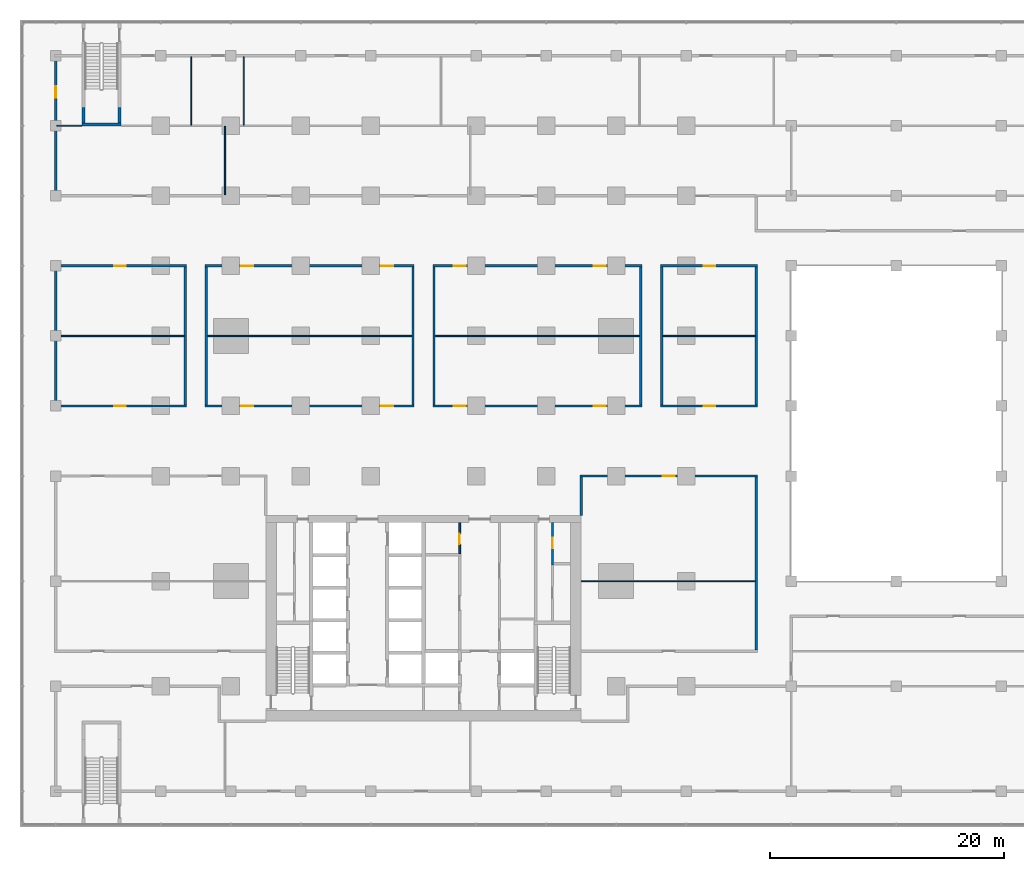
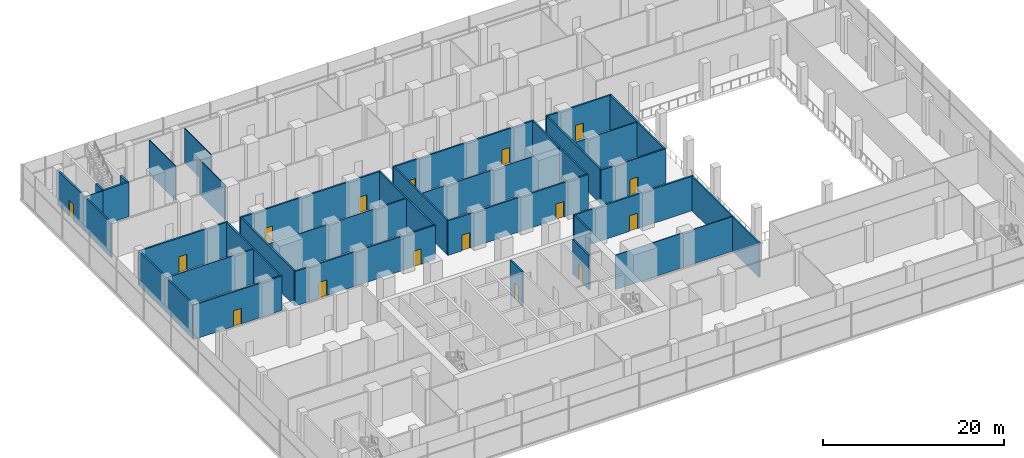
# One storey, part 15 of 22: 34 walls, 16 doors, 16 openings.
"""IFC4 building model written with IfcOpenShell, lengths in metres."""

from ifc_helpers import new_model, si_unit, direction, frame, frame_2d, origin, place, context, subcontext, project, spatial, rectangle, extrude, material, layer, layer_set, type_object, element, fill, save


model = new_model("IFC4")

# Units and contexts
model_context = context("Model", 3, precision=1e-05, world=origin(), true_north=direction((0.0, 1.0)))
body_context = subcontext(model_context, "Body", "Model", "MODEL_VIEW")
ifc_project = project(units=[si_unit("LENGTHUNIT", "METRE"), si_unit("AREAUNIT", "SQUARE_METRE"), si_unit("VOLUMEUNIT", "CUBIC_METRE"), si_unit("PLANEANGLEUNIT", "RADIAN"), si_unit("MASSUNIT", "GRAM", prefix="KILO")], contexts=[model_context])

# Site, building, storey
site_placement = place(None, origin())
site = spatial("IfcSite", under=ifc_project, at=site_placement, CompositionType="ELEMENT")
building_placement = place(site_placement, origin())
building = spatial("IfcBuilding", under=site, at=building_placement, Name="Finial Court Residences", CompositionType="ELEMENT")
storey_placement = place(building_placement, frame((0.0, 0.0, 18.5)))
storey = spatial("IfcBuildingStorey", under=building, at=storey_placement, Name="L03", CompositionType="ELEMENT", Elevation=18.5)

# Wall, opening, door
ifc_material_1 = material(Name="Fire-rated gypsum board partition")
ifc_layer_1 = layer(ifc_material_1, 0.14990234375)
ifc_layer_set_1 = layer_set([ifc_layer_1], Name="Core room partition 150 EI 60")
wall_type_1 = type_object("IfcWallType", Name="Core room partition 150 EI 60", PredefinedType="PARTITIONING", material=ifc_layer_set_1)
wall_1_placement = place(storey_placement, frame((3.10009765625, -11.14990234375, 0.0), z_axis=(0.0, 0.0, 1.0), x_axis=(0.0, 1.0, 0.0)))
wall_1 = element("IfcWall", 1, at=wall_1_placement, inside=storey, type_object=wall_type_1, Name="Core partition L03-33", PredefinedType="PARTITIONING", context=body_context, shape_type="SweptSolid", body=[
    extrude(rectangle(XDim=2.64990234375, YDim=0.14990234375, at=frame_2d((1.324951171875, 0.0))), origin(), (0.0, 0.0, 1.0), 4.64990234375),
])
opening_1_placement = place(wall_1_placement, frame((0.824951171875, 0.0, 0.0)))
opening_1 = element("IfcOpeningElement", 2, at=opening_1_placement, cuts=wall_1, Name="Opening L03-C14", PredefinedType="OPENING", context=body_context, shape_type="SweptSolid", body=[
    extrude(rectangle(XDim=0.89990234375, YDim=2.10009765625, at=frame_2d((0.449951171875, 1.050048828125))), frame((0.0, 0.0849609375, 0.0), z_axis=(0.0, -1.0, 0.0), x_axis=(1.0, 0.0, 0.0)), (0.0, 0.0, 1.0), 0.169921875),
])
ifc_material_2 = material(Name="Steel fire door", Category="steel")
door_type_1 = type_object("IfcDoorType", Name="Core room door 900 x 2100 EI 60", OperationType="NOTDEFINED", PredefinedType="DOOR", material=ifc_material_2)
door_1_placement = place(opening_1_placement, origin())
door_1 = element("IfcDoor", 3, at=door_1_placement, inside=storey, type_object=door_type_1, Name="Core room door L03-C14", OperationType="SINGLE_SWING_LEFT", OverallHeight=2.10009765625, OverallWidth=0.89990234375, PredefinedType="DOOR", context=body_context, shape_type="SweptSolid", body=[
    extrude(rectangle(XDim=0.89990234375, YDim=2.10009765625, at=frame_2d((0.449951171875, 1.050048828125))), frame((0.0, 0.02490234375, 0.0), z_axis=(0.0, -1.0, 0.0), x_axis=(1.0, 0.0, 0.0)), (0.0, 0.0, 1.0), 0.050048828125),
])
fill(opening_1, door_1)

ifc_material_3 = material(Name="Gypsum board")
ifc_layer_2 = layer(ifc_material_3, 0.02490234375)
ifc_material_4 = material(Name="Acoustic mineral wool in double frame")
ifc_layer_3 = layer(ifc_material_4, 0.14990234375)
ifc_layer_4 = layer(ifc_material_3, 0.02490234375)
ifc_layer_set_2 = layer_set([ifc_layer_2, ifc_layer_3, ifc_layer_4], Name="Corridor wall 200, 1 hour")
wall_type_2 = type_object("IfcWallType", Name="Corridor wall 200, 1 hour", PredefinedType="PARTITIONING", material=ifc_layer_set_2)
wall_2_placement = place(storey_placement, frame((13.39990234375, -4.5, 0.0), z_axis=(0.0, 0.0, 1.0), x_axis=(1.0, 0.0, 0.0)))
wall_2 = element("IfcWall", 4, at=wall_2_placement, inside=storey, type_object=wall_type_2, Name="Partition L03-016", PredefinedType="PARTITIONING", context=body_context, shape_type="SweptSolid", body=[
    extrude(rectangle(XDim=15.2001953125, YDim=0.199951171875, at=frame_2d((7.60009765625, 0.0))), origin(), (0.0, 0.0, 1.0), 4.64990234375),
])
opening_2_placement = place(wall_2_placement, frame((7.10009765625, 0.0, 0.0)))
opening_2 = element("IfcOpeningElement", 5, at=opening_2_placement, cuts=wall_2, Name="Opening L03-D015", PredefinedType="OPENING", context=body_context, shape_type="SweptSolid", body=[
    extrude(rectangle(XDim=1.0, YDim=2.10009765625, at=frame_2d((0.5, 1.050048828125))), frame((0.0, 0.10986328125, 0.0), z_axis=(0.0, -1.0, 0.0), x_axis=(1.0, 0.0, 0.0)), (0.0, 0.0, 1.0), 0.219970703125),
])
ifc_material_5 = material(Name="Timber door leaf in hollow metal frame", Category="wood")
door_type_2 = type_object("IfcDoorType", Name="Fire door set 1000 x 2100, 30 minutes", OperationType="SINGLE_SWING_LEFT", PredefinedType="DOOR", material=ifc_material_5)
door_2_placement = place(opening_2_placement, origin())
door_2 = element("IfcDoor", 6, at=door_2_placement, inside=storey, type_object=door_type_2, Name="Door L03-D015", OperationType="SINGLE_SWING_RIGHT", OverallHeight=2.10009765625, OverallWidth=1.0, PredefinedType="DOOR", context=body_context, shape_type="SweptSolid", body=[
    extrude(rectangle(XDim=1.0, YDim=2.10009765625, at=frame_2d((0.5, 1.050048828125))), frame((0.0, 0.02490234375, 0.0), z_axis=(0.0, -1.0, 0.0), x_axis=(1.0, 0.0, 0.0)), (0.0, 0.0, 1.0), 0.050048828125),
])
fill(opening_2, door_2)

wall_3_placement = place(storey_placement, frame((-31.60009765625, 1.5, 0.0), z_axis=(0.0, 0.0, 1.0), x_axis=(1.0, 0.0, 0.0)))
wall_3 = element("IfcWall", 7, at=wall_3_placement, inside=storey, type_object=wall_type_2, Name="Partition L03-018", PredefinedType="PARTITIONING", context=body_context, shape_type="SweptSolid", body=[
    extrude(rectangle(XDim=11.300048828125, YDim=0.199951171875, at=frame_2d((5.64990234375, 0.0))), origin(), (0.0, 0.0, 1.0), 4.64990234375),
])
opening_3_placement = place(wall_3_placement, frame((5.10009765625, 0.0, 0.0)))
opening_3 = element("IfcOpeningElement", 8, at=opening_3_placement, cuts=wall_3, Name="Opening L03-D016", PredefinedType="OPENING", context=body_context, shape_type="SweptSolid", body=[
    extrude(rectangle(XDim=1.0, YDim=2.10009765625, at=frame_2d((0.5, 1.050048828125))), frame((0.0, 0.10986328125, 0.0), z_axis=(0.0, -1.0, 0.0), x_axis=(1.0, 0.0, 0.0)), (0.0, 0.0, 1.0), 0.219970703125),
])
door_3_placement = place(opening_3_placement, origin())
door_3 = element("IfcDoor", 9, at=door_3_placement, inside=storey, type_object=door_type_2, Name="Door L03-D016", OperationType="SINGLE_SWING_LEFT", OverallHeight=2.10009765625, OverallWidth=1.0, PredefinedType="DOOR", context=body_context, shape_type="SweptSolid", body=[
    extrude(rectangle(XDim=1.0, YDim=2.10009765625, at=frame_2d((0.5, 1.050048828125))), frame((0.0, 0.02490234375, 0.0), z_axis=(0.0, -1.0, 0.0), x_axis=(1.0, 0.0, 0.0)), (0.0, 0.0, 1.0), 0.050048828125),
])
fill(opening_3, door_3)

# Wall, openings, doors
wall_4_placement = place(storey_placement, frame((-18.699951171875, 1.5, 0.0), z_axis=(0.0, 0.0, 1.0), x_axis=(1.0, 0.0, 0.0)))
wall_4 = element("IfcWall", 10, at=wall_4_placement, inside=storey, type_object=wall_type_2, Name="Partition L03-019", PredefinedType="PARTITIONING", context=body_context, shape_type="SweptSolid", body=[
    extrude(rectangle(XDim=17.89990234375, YDim=0.199951171875, at=frame_2d((8.949951171875, 0.0))), origin(), (0.0, 0.0, 1.0), 4.64990234375),
])
opening_4_placement = place(wall_4_placement, frame((3.10009765625, 0.0, 0.0)))
opening_4 = element("IfcOpeningElement", 11, at=opening_4_placement, cuts=wall_4, Name="Opening L03-D017", PredefinedType="OPENING", context=body_context, shape_type="SweptSolid", body=[
    extrude(rectangle(XDim=1.0, YDim=2.10009765625, at=frame_2d((0.5, 1.050048828125))), frame((0.0, 0.10986328125, 0.0), z_axis=(0.0, -1.0, 0.0), x_axis=(1.0, 0.0, 0.0)), (0.0, 0.0, 1.0), 0.219970703125),
])
opening_5_placement = place(wall_4_placement, frame((15.10009765625, 0.0, 0.0)))
opening_5 = element("IfcOpeningElement", 12, at=opening_5_placement, cuts=wall_4, Name="Opening L03-D018", PredefinedType="OPENING", context=body_context, shape_type="SweptSolid", body=[
    extrude(rectangle(XDim=1.0, YDim=2.10009765625, at=frame_2d((0.5, 1.050048828125))), frame((0.0, 0.10986328125, 0.0), z_axis=(0.0, -1.0, 0.0), x_axis=(1.0, 0.0, 0.0)), (0.0, 0.0, 1.0), 0.219970703125),
])
door_4_placement = place(opening_4_placement, origin())
door_4 = element("IfcDoor", 13, at=door_4_placement, inside=storey, type_object=door_type_2, Name="Door L03-D017", OperationType="SINGLE_SWING_RIGHT", OverallHeight=2.10009765625, OverallWidth=1.0, PredefinedType="DOOR", context=body_context, shape_type="SweptSolid", body=[
    extrude(rectangle(XDim=1.0, YDim=2.10009765625, at=frame_2d((0.5, 1.050048828125))), frame((0.0, 0.02490234375, 0.0), z_axis=(0.0, -1.0, 0.0), x_axis=(1.0, 0.0, 0.0)), (0.0, 0.0, 1.0), 0.050048828125),
])
fill(opening_4, door_4)
door_5_placement = place(opening_5_placement, origin())
door_5 = element("IfcDoor", 14, at=door_5_placement, inside=storey, type_object=door_type_2, Name="Door L03-D018", OperationType="SINGLE_SWING_LEFT", OverallHeight=2.10009765625, OverallWidth=1.0, PredefinedType="DOOR", context=body_context, shape_type="SweptSolid", body=[
    extrude(rectangle(XDim=1.0, YDim=2.10009765625, at=frame_2d((0.5, 1.050048828125))), frame((0.0, 0.02490234375, 0.0), z_axis=(0.0, -1.0, 0.0), x_axis=(1.0, 0.0, 0.0)), (0.0, 0.0, 1.0), 0.050048828125),
])
fill(opening_5, door_5)

wall_5_placement = place(storey_placement, frame((0.800048828125, 1.5, 0.0), z_axis=(0.0, 0.0, 1.0), x_axis=(1.0, 0.0, 0.0)))
wall_5 = element("IfcWall", 15, at=wall_5_placement, inside=storey, type_object=wall_type_2, Name="Partition L03-020", PredefinedType="PARTITIONING", context=body_context, shape_type="SweptSolid", body=[
    extrude(rectangle(XDim=17.89990234375, YDim=0.199951171875, at=frame_2d((8.949951171875, 0.0))), origin(), (0.0, 0.0, 1.0), 4.64990234375),
])
opening_6_placement = place(wall_5_placement, frame((1.800048828125, 0.0, 0.0)))
opening_6 = element("IfcOpeningElement", 16, at=opening_6_placement, cuts=wall_5, Name="Opening L03-D019", PredefinedType="OPENING", context=body_context, shape_type="SweptSolid", body=[
    extrude(rectangle(XDim=1.0, YDim=2.10009765625, at=frame_2d((0.5, 1.050048828125))), frame((0.0, 0.10986328125, 0.0), z_axis=(0.0, -1.0, 0.0), x_axis=(1.0, 0.0, 0.0)), (0.0, 0.0, 1.0), 0.219970703125),
])
opening_7_placement = place(wall_5_placement, frame((13.800048828125, 0.0, 0.0)))
opening_7 = element("IfcOpeningElement", 17, at=opening_7_placement, cuts=wall_5, Name="Opening L03-D020", PredefinedType="OPENING", context=body_context, shape_type="SweptSolid", body=[
    extrude(rectangle(XDim=1.0, YDim=2.10009765625, at=frame_2d((0.5, 1.050048828125))), frame((0.0, 0.10986328125, 0.0), z_axis=(0.0, -1.0, 0.0), x_axis=(1.0, 0.0, 0.0)), (0.0, 0.0, 1.0), 0.219970703125),
])
door_6_placement = place(opening_6_placement, origin())
door_6 = element("IfcDoor", 18, at=door_6_placement, inside=storey, type_object=door_type_2, Name="Door L03-D019", OperationType="SINGLE_SWING_RIGHT", OverallHeight=2.10009765625, OverallWidth=1.0, PredefinedType="DOOR", context=body_context, shape_type="SweptSolid", body=[
    extrude(rectangle(XDim=1.0, YDim=2.10009765625, at=frame_2d((0.5, 1.050048828125))), frame((0.0, 0.02490234375, 0.0), z_axis=(0.0, -1.0, 0.0), x_axis=(1.0, 0.0, 0.0)), (0.0, 0.0, 1.0), 0.050048828125),
])
fill(opening_6, door_6)
door_7_placement = place(opening_7_placement, origin())
door_7 = element("IfcDoor", 19, at=door_7_placement, inside=storey, type_object=door_type_2, Name="Door L03-D020", OperationType="SINGLE_SWING_LEFT", OverallHeight=2.10009765625, OverallWidth=1.0, PredefinedType="DOOR", context=body_context, shape_type="SweptSolid", body=[
    extrude(rectangle(XDim=1.0, YDim=2.10009765625, at=frame_2d((0.5, 1.050048828125))), frame((0.0, 0.02490234375, 0.0), z_axis=(0.0, -1.0, 0.0), x_axis=(1.0, 0.0, 0.0)), (0.0, 0.0, 1.0), 0.050048828125),
])
fill(opening_7, door_7)

# Wall, opening, door
wall_6_placement = place(storey_placement, frame((20.300048828125, 1.5, 0.0), z_axis=(0.0, 0.0, 1.0), x_axis=(1.0, 0.0, 0.0)))
wall_6 = element("IfcWall", 20, at=wall_6_placement, inside=storey, type_object=wall_type_2, Name="Partition L03-021", PredefinedType="PARTITIONING", context=body_context, shape_type="SweptSolid", body=[
    extrude(rectangle(XDim=8.300048828125, YDim=0.199951171875, at=frame_2d((4.14990234375, 0.0))), origin(), (0.0, 0.0, 1.0), 4.64990234375),
])
opening_8_placement = place(wall_6_placement, frame((3.699951171875, 0.0, 0.0)))
opening_8 = element("IfcOpeningElement", 21, at=opening_8_placement, cuts=wall_6, Name="Opening L03-D021", PredefinedType="OPENING", context=body_context, shape_type="SweptSolid", body=[
    extrude(rectangle(XDim=1.0, YDim=2.10009765625, at=frame_2d((0.5, 1.050048828125))), frame((0.0, 0.10986328125, 0.0), z_axis=(0.0, -1.0, 0.0), x_axis=(1.0, 0.0, 0.0)), (0.0, 0.0, 1.0), 0.219970703125),
])
door_8_placement = place(opening_8_placement, origin())
door_8 = element("IfcDoor", 22, at=door_8_placement, inside=storey, type_object=door_type_2, Name="Door L03-D021", OperationType="SINGLE_SWING_LEFT", OverallHeight=2.10009765625, OverallWidth=1.0, PredefinedType="DOOR", context=body_context, shape_type="SweptSolid", body=[
    extrude(rectangle(XDim=1.0, YDim=2.10009765625, at=frame_2d((0.5, 1.050048828125))), frame((0.0, 0.02490234375, 0.0), z_axis=(0.0, -1.0, 0.0), x_axis=(1.0, 0.0, 0.0)), (0.0, 0.0, 1.0), 0.050048828125),
])
fill(opening_8, door_8)

wall_7_placement = place(storey_placement, frame((-31.60009765625, 13.5, 0.0), z_axis=(0.0, 0.0, 1.0), x_axis=(1.0, 0.0, 0.0)))
wall_7 = element("IfcWall", 23, at=wall_7_placement, inside=storey, type_object=wall_type_2, Name="Partition L03-026", PredefinedType="PARTITIONING", context=body_context, shape_type="SweptSolid", body=[
    extrude(rectangle(XDim=11.300048828125, YDim=0.199951171875, at=frame_2d((5.64990234375, 0.0))), origin(), (0.0, 0.0, 1.0), 4.64990234375),
])
opening_9_placement = place(wall_7_placement, frame((5.10009765625, 0.0, 0.0)))
opening_9 = element("IfcOpeningElement", 24, at=opening_9_placement, cuts=wall_7, Name="Opening L03-D022", PredefinedType="OPENING", context=body_context, shape_type="SweptSolid", body=[
    extrude(rectangle(XDim=1.0, YDim=2.10009765625, at=frame_2d((0.5, 1.050048828125))), frame((0.0, 0.10986328125, 0.0), z_axis=(0.0, -1.0, 0.0), x_axis=(1.0, 0.0, 0.0)), (0.0, 0.0, 1.0), 0.219970703125),
])
door_9_placement = place(opening_9_placement, origin())
door_9 = element("IfcDoor", 25, at=door_9_placement, inside=storey, type_object=door_type_2, Name="Door L03-D022", OperationType="SINGLE_SWING_LEFT", OverallHeight=2.10009765625, OverallWidth=1.0, PredefinedType="DOOR", context=body_context, shape_type="SweptSolid", body=[
    extrude(rectangle(XDim=1.0, YDim=2.10009765625, at=frame_2d((0.5, 1.050048828125))), frame((0.0, 0.02490234375, 0.0), z_axis=(0.0, -1.0, 0.0), x_axis=(1.0, 0.0, 0.0)), (0.0, 0.0, 1.0), 0.050048828125),
])
fill(opening_9, door_9)

# Wall, openings, doors
wall_8_placement = place(storey_placement, frame((-18.699951171875, 13.5, 0.0), z_axis=(0.0, 0.0, 1.0), x_axis=(1.0, 0.0, 0.0)))
wall_8 = element("IfcWall", 26, at=wall_8_placement, inside=storey, type_object=wall_type_2, Name="Partition L03-027", PredefinedType="PARTITIONING", context=body_context, shape_type="SweptSolid", body=[
    extrude(rectangle(XDim=17.89990234375, YDim=0.199951171875, at=frame_2d((8.949951171875, 0.0))), origin(), (0.0, 0.0, 1.0), 4.64990234375),
])
opening_10_placement = place(wall_8_placement, frame((3.10009765625, 0.0, 0.0)))
opening_10 = element("IfcOpeningElement", 27, at=opening_10_placement, cuts=wall_8, Name="Opening L03-D023", PredefinedType="OPENING", context=body_context, shape_type="SweptSolid", body=[
    extrude(rectangle(XDim=1.0, YDim=2.10009765625, at=frame_2d((0.5, 1.050048828125))), frame((0.0, 0.10986328125, 0.0), z_axis=(0.0, -1.0, 0.0), x_axis=(1.0, 0.0, 0.0)), (0.0, 0.0, 1.0), 0.219970703125),
])
opening_11_placement = place(wall_8_placement, frame((15.10009765625, 0.0, 0.0)))
opening_11 = element("IfcOpeningElement", 28, at=opening_11_placement, cuts=wall_8, Name="Opening L03-D024", PredefinedType="OPENING", context=body_context, shape_type="SweptSolid", body=[
    extrude(rectangle(XDim=1.0, YDim=2.10009765625, at=frame_2d((0.5, 1.050048828125))), frame((0.0, 0.10986328125, 0.0), z_axis=(0.0, -1.0, 0.0), x_axis=(1.0, 0.0, 0.0)), (0.0, 0.0, 1.0), 0.219970703125),
])
door_10_placement = place(opening_10_placement, origin())
door_10 = element("IfcDoor", 29, at=door_10_placement, inside=storey, type_object=door_type_2, Name="Door L03-D023", OperationType="SINGLE_SWING_LEFT", OverallHeight=2.10009765625, OverallWidth=1.0, PredefinedType="DOOR", context=body_context, shape_type="SweptSolid", body=[
    extrude(rectangle(XDim=1.0, YDim=2.10009765625, at=frame_2d((0.5, 1.050048828125))), frame((0.0, 0.02490234375, 0.0), z_axis=(0.0, -1.0, 0.0), x_axis=(1.0, 0.0, 0.0)), (0.0, 0.0, 1.0), 0.050048828125),
])
fill(opening_10, door_10)
door_11_placement = place(opening_11_placement, origin())
door_11 = element("IfcDoor", 30, at=door_11_placement, inside=storey, type_object=door_type_2, Name="Door L03-D024", OperationType="SINGLE_SWING_RIGHT", OverallHeight=2.10009765625, OverallWidth=1.0, PredefinedType="DOOR", context=body_context, shape_type="SweptSolid", body=[
    extrude(rectangle(XDim=1.0, YDim=2.10009765625, at=frame_2d((0.5, 1.050048828125))), frame((0.0, 0.02490234375, 0.0), z_axis=(0.0, -1.0, 0.0), x_axis=(1.0, 0.0, 0.0)), (0.0, 0.0, 1.0), 0.050048828125),
])
fill(opening_11, door_11)

wall_9_placement = place(storey_placement, frame((0.800048828125, 13.5, 0.0), z_axis=(0.0, 0.0, 1.0), x_axis=(1.0, 0.0, 0.0)))
wall_9 = element("IfcWall", 31, at=wall_9_placement, inside=storey, type_object=wall_type_2, Name="Partition L03-028", PredefinedType="PARTITIONING", context=body_context, shape_type="SweptSolid", body=[
    extrude(rectangle(XDim=17.89990234375, YDim=0.199951171875, at=frame_2d((8.949951171875, 0.0))), origin(), (0.0, 0.0, 1.0), 4.64990234375),
])
opening_12_placement = place(wall_9_placement, frame((1.800048828125, 0.0, 0.0)))
opening_12 = element("IfcOpeningElement", 32, at=opening_12_placement, cuts=wall_9, Name="Opening L03-D025", PredefinedType="OPENING", context=body_context, shape_type="SweptSolid", body=[
    extrude(rectangle(XDim=1.0, YDim=2.10009765625, at=frame_2d((0.5, 1.050048828125))), frame((0.0, 0.10986328125, 0.0), z_axis=(0.0, -1.0, 0.0), x_axis=(1.0, 0.0, 0.0)), (0.0, 0.0, 1.0), 0.219970703125),
])
opening_13_placement = place(wall_9_placement, frame((13.800048828125, 0.0, 0.0)))
opening_13 = element("IfcOpeningElement", 33, at=opening_13_placement, cuts=wall_9, Name="Opening L03-D026", PredefinedType="OPENING", context=body_context, shape_type="SweptSolid", body=[
    extrude(rectangle(XDim=1.0, YDim=2.10009765625, at=frame_2d((0.5, 1.050048828125))), frame((0.0, 0.10986328125, 0.0), z_axis=(0.0, -1.0, 0.0), x_axis=(1.0, 0.0, 0.0)), (0.0, 0.0, 1.0), 0.219970703125),
])
door_12_placement = place(opening_12_placement, origin())
door_12 = element("IfcDoor", 34, at=door_12_placement, inside=storey, type_object=door_type_2, Name="Door L03-D025", OperationType="SINGLE_SWING_LEFT", OverallHeight=2.10009765625, OverallWidth=1.0, PredefinedType="DOOR", context=body_context, shape_type="SweptSolid", body=[
    extrude(rectangle(XDim=1.0, YDim=2.10009765625, at=frame_2d((0.5, 1.050048828125))), frame((0.0, 0.02490234375, 0.0), z_axis=(0.0, -1.0, 0.0), x_axis=(1.0, 0.0, 0.0)), (0.0, 0.0, 1.0), 0.050048828125),
])
fill(opening_12, door_12)
door_13_placement = place(opening_13_placement, origin())
door_13 = element("IfcDoor", 35, at=door_13_placement, inside=storey, type_object=door_type_2, Name="Door L03-D026", OperationType="SINGLE_SWING_RIGHT", OverallHeight=2.10009765625, OverallWidth=1.0, PredefinedType="DOOR", context=body_context, shape_type="SweptSolid", body=[
    extrude(rectangle(XDim=1.0, YDim=2.10009765625, at=frame_2d((0.5, 1.050048828125))), frame((0.0, 0.02490234375, 0.0), z_axis=(0.0, -1.0, 0.0), x_axis=(1.0, 0.0, 0.0)), (0.0, 0.0, 1.0), 0.050048828125),
])
fill(opening_13, door_13)

# Wall, opening, door
wall_10_placement = place(storey_placement, frame((20.300048828125, 13.5, 0.0), z_axis=(0.0, 0.0, 1.0), x_axis=(1.0, 0.0, 0.0)))
wall_10 = element("IfcWall", 36, at=wall_10_placement, inside=storey, type_object=wall_type_2, Name="Partition L03-029", PredefinedType="PARTITIONING", context=body_context, shape_type="SweptSolid", body=[
    extrude(rectangle(XDim=8.300048828125, YDim=0.199951171875, at=frame_2d((4.14990234375, 0.0))), origin(), (0.0, 0.0, 1.0), 4.64990234375),
])
opening_14_placement = place(wall_10_placement, frame((3.699951171875, 0.0, 0.0)))
opening_14 = element("IfcOpeningElement", 37, at=opening_14_placement, cuts=wall_10, Name="Opening L03-D027", PredefinedType="OPENING", context=body_context, shape_type="SweptSolid", body=[
    extrude(rectangle(XDim=1.0, YDim=2.10009765625, at=frame_2d((0.5, 1.050048828125))), frame((0.0, 0.10986328125, 0.0), z_axis=(0.0, -1.0, 0.0), x_axis=(1.0, 0.0, 0.0)), (0.0, 0.0, 1.0), 0.219970703125),
])
door_14_placement = place(opening_14_placement, origin())
door_14 = element("IfcDoor", 38, at=door_14_placement, inside=storey, type_object=door_type_2, Name="Door L03-D027", OperationType="SINGLE_SWING_RIGHT", OverallHeight=2.10009765625, OverallWidth=1.0, PredefinedType="DOOR", context=body_context, shape_type="SweptSolid", body=[
    extrude(rectangle(XDim=1.0, YDim=2.10009765625, at=frame_2d((0.5, 1.050048828125))), frame((0.0, 0.02490234375, 0.0), z_axis=(0.0, -1.0, 0.0), x_axis=(1.0, 0.0, 0.0)), (0.0, 0.0, 1.0), 0.050048828125),
])
fill(opening_14, door_14)

# Wall
wall_11_placement = place(storey_placement, frame((-31.5, 1.60009765625, 0.0), z_axis=(0.0, 0.0, 1.0), x_axis=(0.0, 1.0, 0.0)))
element("IfcWall", 39, at=wall_11_placement, inside=storey, type_object=wall_type_2, Name="Partition L03-042", PredefinedType="PARTITIONING", context=body_context, shape_type="SweptSolid", body=[
    extrude(rectangle(XDim=11.7998046875, YDim=0.199951171875, at=frame_2d((5.89990234375, 0.0))), origin(), (0.0, 0.0, 1.0), 4.64990234375),
])

# Wall, opening, door
wall_12_placement = place(storey_placement, frame((-31.5, 19.60009765625, 0.0), z_axis=(0.0, 0.0, 1.0), x_axis=(0.0, 1.0, 0.0)))
wall_12 = element("IfcWall", 40, at=wall_12_placement, inside=storey, type_object=wall_type_2, Name="Partition L03-043", PredefinedType="PARTITIONING", context=body_context, shape_type="SweptSolid", body=[
    extrude(rectangle(XDim=11.7998046875, YDim=0.199951171875, at=frame_2d((5.89990234375, 0.0))), origin(), (0.0, 0.0, 1.0), 4.64990234375),
])
opening_15_placement = place(wall_12_placement, frame((8.300048828125, 0.0, 0.0)))
opening_15 = element("IfcOpeningElement", 41, at=opening_15_placement, cuts=wall_12, Name="Opening L03-D042", PredefinedType="OPENING", context=body_context, shape_type="SweptSolid", body=[
    extrude(rectangle(XDim=1.0, YDim=2.10009765625, at=frame_2d((0.5, 1.050048828125))), frame((0.0, 0.10986328125, 0.0), z_axis=(0.0, -1.0, 0.0), x_axis=(1.0, 0.0, 0.0)), (0.0, 0.0, 1.0), 0.219970703125),
])
door_15_placement = place(opening_15_placement, origin())
door_15 = element("IfcDoor", 42, at=door_15_placement, inside=storey, type_object=door_type_2, Name="Door L03-D042", OperationType="SINGLE_SWING_RIGHT", OverallHeight=2.10009765625, OverallWidth=1.0, PredefinedType="DOOR", context=body_context, shape_type="SweptSolid", body=[
    extrude(rectangle(XDim=1.0, YDim=2.10009765625, at=frame_2d((0.5, 1.050048828125))), frame((0.0, 0.02490234375, 0.0), z_axis=(0.0, -1.0, 0.0), x_axis=(1.0, 0.0, 0.0)), (0.0, 0.0, 1.0), 0.050048828125),
])
fill(opening_15, door_15)

# Walls
for number, where, z_axis, x_axis, name in (
    (43, (-20.39990234375, 1.60009765625, 0.0), (0.0, 0.0, 1.0), (0.0, 1.0, 0.0), "Partition L03-044"),
    (44, (-18.60009765625, 1.60009765625, 0.0), (0.0, 0.0, 1.0), (0.0, 1.0, 0.0), "Partition L03-046"),
    (45, (-0.89990234375, 1.60009765625, 0.0), (0.0, 0.0, 1.0), (0.0, 1.0, 0.0), "Partition L03-052"),
    (46, (0.89990234375, 1.60009765625, 0.0), (0.0, 0.0, 1.0), (0.0, 1.0, 0.0), "Partition L03-053"),
):
    element("IfcWall", number, at=place(storey_placement, frame(where, z_axis=z_axis, x_axis=x_axis)), inside=storey, type_object=wall_type_2, Name=name, PredefinedType="PARTITIONING", context=body_context, shape_type="SweptSolid", body=[
        extrude(rectangle(XDim=11.7998046875, YDim=0.199951171875, at=frame_2d((5.89990234375, 0.0))), origin(), (0.0, 0.0, 1.0), 4.64990234375),
    ])
wall_13_placement = place(storey_placement, frame((13.5, -7.89990234375, 0.0), z_axis=(0.0, 0.0, 1.0), x_axis=(0.0, 1.0, 0.0)))
element("IfcWall", 47, at=wall_13_placement, inside=storey, type_object=wall_type_2, Name="Partition L03-057", PredefinedType="PARTITIONING", context=body_context, shape_type="SweptSolid", body=[
    extrude(rectangle(XDim=3.2998046875, YDim=0.199951171875, at=frame_2d((1.64990234375, 0.0))), origin(), (0.0, 0.0, 1.0), 4.64990234375),
])
for number, where, z_axis, x_axis, name in (
    (48, (18.60009765625, 1.60009765625, 0.0), (0.0, 0.0, 1.0), (0.0, 1.0, 0.0), "Partition L03-060"),
    (49, (20.39990234375, 1.60009765625, 0.0), (0.0, 0.0, 1.0), (0.0, 1.0, 0.0), "Partition L03-061"),
):
    element("IfcWall", number, at=place(storey_placement, frame(where, z_axis=z_axis, x_axis=x_axis)), inside=storey, type_object=wall_type_2, Name=name, PredefinedType="PARTITIONING", context=body_context, shape_type="SweptSolid", body=[
        extrude(rectangle(XDim=11.7998046875, YDim=0.199951171875, at=frame_2d((5.89990234375, 0.0))), origin(), (0.0, 0.0, 1.0), 4.64990234375),
    ])
wall_14_placement = place(storey_placement, frame((28.5, -19.39990234375, 0.0), z_axis=(0.0, 0.0, 1.0), x_axis=(0.0, 1.0, 0.0)))
element("IfcWall", 50, at=wall_14_placement, inside=storey, type_object=wall_type_2, Name="Partition L03-062", PredefinedType="PARTITIONING", context=body_context, shape_type="SweptSolid", body=[
    extrude(rectangle(XDim=14.7998046875, YDim=0.199951171875, at=frame_2d((7.39990234375, 0.0))), origin(), (0.0, 0.0, 1.0), 4.64990234375),
])
wall_15_placement = place(storey_placement, frame((28.5, 1.60009765625, 0.0), z_axis=(0.0, 0.0, 1.0), x_axis=(0.0, 1.0, 0.0)))
element("IfcWall", 51, at=wall_15_placement, inside=storey, type_object=wall_type_2, Name="Partition L03-063", PredefinedType="PARTITIONING", context=body_context, shape_type="SweptSolid", body=[
    extrude(rectangle(XDim=11.7998046875, YDim=0.199951171875, at=frame_2d((5.89990234375, 0.0))), origin(), (0.0, 0.0, 1.0), 4.64990234375),
])
ifc_layer_5 = layer(ifc_material_3, 0.012451171875)
ifc_material_6 = material(Name="Mineral wool in light-gauge frame")
ifc_layer_6 = layer(ifc_material_6, 0.074951171875)
ifc_layer_7 = layer(ifc_material_3, 0.012451171875)
ifc_layer_set_3 = layer_set([ifc_layer_5, ifc_layer_6, ifc_layer_7], Name="Gypsum board partition 100")
wall_type_3 = type_object("IfcWallType", Name="Gypsum board partition 100", PredefinedType="PARTITIONING", material=ifc_layer_set_3)
wall_16_placement = place(storey_placement, frame((13.5, -13.5, 0.0), z_axis=(0.0, 0.0, 1.0), x_axis=(1.0, 0.0, 0.0)))
element("IfcWall", 52, at=wall_16_placement, inside=storey, type_object=wall_type_3, Name="Partition L03-014", PredefinedType="PARTITIONING", context=body_context, shape_type="SweptSolid", body=[
    extrude(rectangle(XDim=14.89990234375, YDim=0.10009765625, at=frame_2d((7.449951171875, 0.0))), origin(), (0.0, 0.0, 1.0), 4.64990234375),
])
wall_17_placement = place(storey_placement, frame((-31.39990234375, 7.5, 0.0), z_axis=(0.0, 0.0, 1.0), x_axis=(1.0, 0.0, 0.0)))
element("IfcWall", 53, at=wall_17_placement, inside=storey, type_object=wall_type_3, Name="Partition L03-022", PredefinedType="PARTITIONING", context=body_context, shape_type="SweptSolid", body=[
    extrude(rectangle(XDim=10.89990234375, YDim=0.10009765625, at=frame_2d((5.449951171875, 0.0))), origin(), (0.0, 0.0, 1.0), 4.64990234375),
])
for number, where, z_axis, x_axis, name in (
    (54, (-18.5, 7.5, 0.0), (0.0, 0.0, 1.0), (1.0, 0.0, 0.0), "Partition L03-023"),
    (55, (1.0, 7.5, 0.0), (0.0, 0.0, 1.0), (1.0, 0.0, 0.0), "Partition L03-024"),
):
    element("IfcWall", number, at=place(storey_placement, frame(where, z_axis=z_axis, x_axis=x_axis)), inside=storey, type_object=wall_type_3, Name=name, PredefinedType="PARTITIONING", context=body_context, shape_type="SweptSolid", body=[
        extrude(rectangle(XDim=17.5, YDim=0.10009765625, at=frame_2d((8.75, 0.0))), origin(), (0.0, 0.0, 1.0), 4.64990234375),
    ])
wall_18_placement = place(storey_placement, frame((20.5, 7.5, 0.0), z_axis=(0.0, 0.0, 1.0), x_axis=(1.0, 0.0, 0.0)))
element("IfcWall", 56, at=wall_18_placement, inside=storey, type_object=wall_type_3, Name="Partition L03-025", PredefinedType="PARTITIONING", context=body_context, shape_type="SweptSolid", body=[
    extrude(rectangle(XDim=7.89990234375, YDim=0.10009765625, at=frame_2d((3.949951171875, 0.0))), origin(), (0.0, 0.0, 1.0), 4.64990234375),
])
wall_19_placement = place(storey_placement, frame((-31.39990234375, 25.5, 0.0), z_axis=(0.0, 0.0, 1.0), x_axis=(1.0, 0.0, 0.0)))
element("IfcWall", 57, at=wall_19_placement, inside=storey, type_object=wall_type_3, Name="Partition L03-035", PredefinedType="PARTITIONING", context=body_context, shape_type="SweptSolid", body=[
    extrude(rectangle(XDim=2.14990234375, YDim=0.10009765625, at=frame_2d((1.074951171875, 0.0))), origin(), (0.0, 0.0, 1.0), 4.64990234375),
])
for number, where, z_axis, x_axis, name in (
    (58, (-19.89990234375, 25.550048828125, 0.0), (0.0, 0.0, 1.0), (0.0, 1.0, 0.0), "Partition L03-045"),
    (59, (-17.0, 19.60009765625, 0.0), (0.0, 0.0, 1.0), (0.0, 1.0, 0.0), "Partition L03-049"),
    (60, (-15.39990234375, 25.550048828125, 0.0), (0.0, 0.0, 1.0), (0.0, 1.0, 0.0), "Partition L03-050"),
):
    element("IfcWall", number, at=place(storey_placement, frame(where, z_axis=z_axis, x_axis=x_axis)), inside=storey, type_object=wall_type_3, Name=name, PredefinedType="PARTITIONING", context=body_context, shape_type="SweptSolid", body=[
        extrude(rectangle(XDim=5.849853515625, YDim=0.10009765625, at=frame_2d((2.9248046875, 0.0))), origin(), (0.0, 0.0, 1.0), 4.64990234375),
    ])

# Wall, opening, door
ifc_layer_8 = layer(ifc_material_1, 0.199951171875)
ifc_layer_set_4 = layer_set([ifc_layer_8], Name="Riser room wall 200 EI 120")
wall_type_4 = type_object("IfcWallType", Name="Riser room wall 200 EI 120", PredefinedType="PARTITIONING", material=ifc_layer_set_4)
wall_20_placement = place(storey_placement, frame((11.050048828125, -8.5, 0.0), z_axis=(0.0, 0.0, 1.0), x_axis=(0.0, -1.0, 0.0)))
wall_20 = element("IfcWall", 61, at=wall_20_placement, inside=storey, type_object=wall_type_4, Name="Core partition L03-40", PredefinedType="PARTITIONING", context=body_context, shape_type="SweptSolid", body=[
    extrude(rectangle(XDim=3.60009765625, YDim=0.199951171875, at=frame_2d((1.800048828125, 0.0))), origin(), (0.0, 0.0, 1.0), 4.64990234375),
])
opening_16_placement = place(wall_20_placement, frame((1.300048828125, 0.0, 0.0)))
opening_16 = element("IfcOpeningElement", 62, at=opening_16_placement, cuts=wall_20, Name="Opening L03-C08", PredefinedType="OPENING", context=body_context, shape_type="SweptSolid", body=[
    extrude(rectangle(XDim=0.89990234375, YDim=2.10009765625, at=frame_2d((0.449951171875, 1.050048828125))), frame((0.0, 0.10986328125, 0.0), z_axis=(0.0, -1.0, 0.0), x_axis=(1.0, 0.0, 0.0)), (0.0, 0.0, 1.0), 0.219970703125),
])
door_type_3 = type_object("IfcDoorType", Name="Riser room door 900 x 2100 EI 90", OperationType="NOTDEFINED", PredefinedType="DOOR", material=ifc_material_2)
door_16_placement = place(opening_16_placement, origin())
door_16 = element("IfcDoor", 63, at=door_16_placement, inside=storey, type_object=door_type_3, Name="Riser room door L03-C08", OperationType="SINGLE_SWING_RIGHT", OverallHeight=2.10009765625, OverallWidth=0.89990234375, PredefinedType="DOOR", context=body_context, shape_type="SweptSolid", body=[
    extrude(rectangle(XDim=0.89990234375, YDim=2.10009765625, at=frame_2d((0.449951171875, 1.050048828125))), frame((0.0, 0.02490234375, 0.0), z_axis=(0.0, -1.0, 0.0), x_axis=(1.0, 0.0, 0.0)), (0.0, 0.0, 1.0), 0.050048828125),
])
fill(opening_16, door_16)

# Walls
ifc_material_7 = material(Name="Concrete C50/60", Category="concrete")
ifc_layer_9 = layer(ifc_material_7, 0.25)
ifc_layer_set_5 = layer_set([ifc_layer_9], Name="Stair enclosure wall 250 Concrete C50/60")
wall_type_5 = type_object("IfcWallType", Name="Stair enclosure wall 250 Concrete C50/60", PredefinedType="SHEAR", material=ifc_layer_set_5)
for number, where, z_axis, x_axis, name in (
    (64, (-29.125, 25.719970703125, 0.0), (0.0, 0.0, 1.0), (0.0, 1.0, 0.0), "Exit Stair 6 enclosure wall L03-W3"),
    (65, (-26.02490234375, 25.719970703125, 0.0), (0.0, 0.0, 1.0), (0.0, 1.0, 0.0), "Exit Stair 6 enclosure wall L03-E3"),
):
    element("IfcWall", number, at=place(storey_placement, frame(where, z_axis=z_axis, x_axis=x_axis)), inside=storey, type_object=wall_type_5, Name=name, PredefinedType="SHEAR", context=body_context, shape_type="SweptSolid", body=[
        extrude(rectangle(XDim=1.35009765625, YDim=0.25, at=frame_2d((0.675048828125, 0.0))), origin(), (0.0, 0.0, 1.0), 4.64990234375),
    ])
wall_21_placement = place(storey_placement, frame((-29.25, 25.594970703125, 0.0), z_axis=(0.0, 0.0, 1.0), x_axis=(1.0, 0.0, 0.0)))
element("IfcWall", 66, at=wall_21_placement, inside=storey, type_object=wall_type_5, Name="Exit Stair 6 enclosure wall L03-N", PredefinedType="SHEAR", context=body_context, shape_type="SweptSolid", body=[
    extrude(rectangle(XDim=3.35009765625, YDim=0.25, at=frame_2d((1.675048828125, 0.0))), origin(), (0.0, 0.0, 1.0), 4.64990234375),
])

save(model, "model.ifc")
